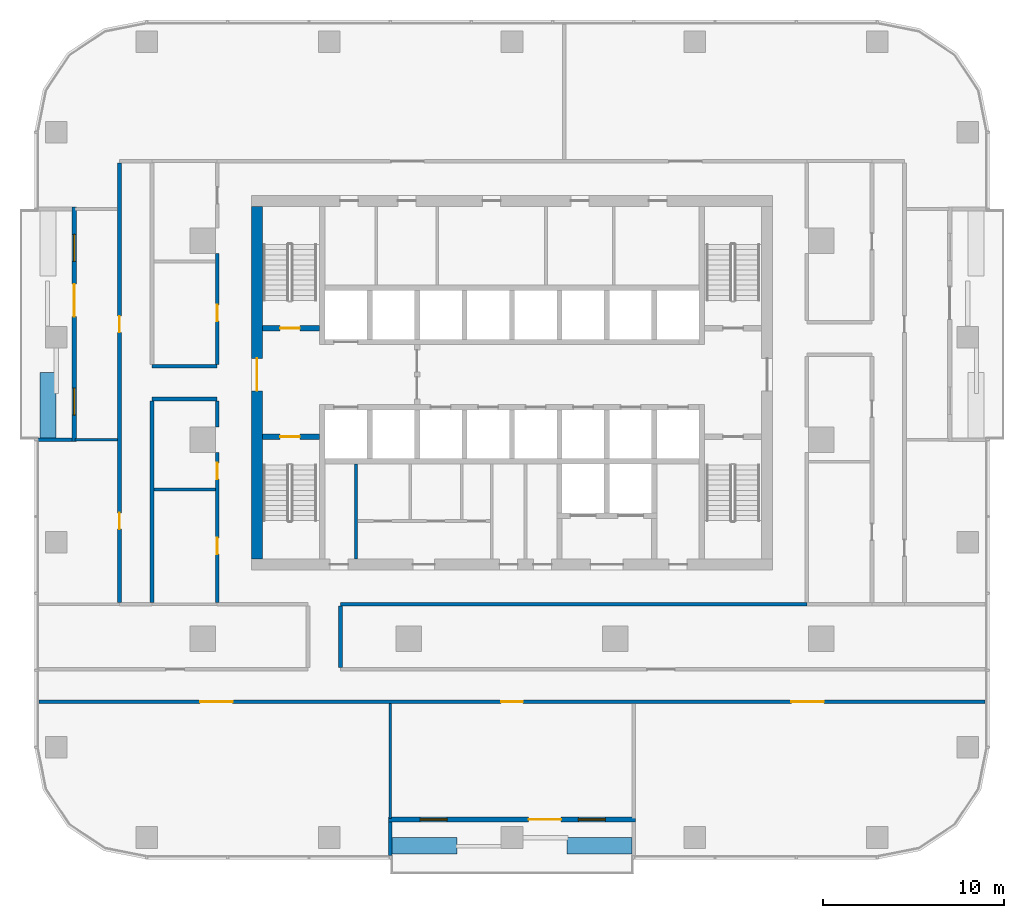
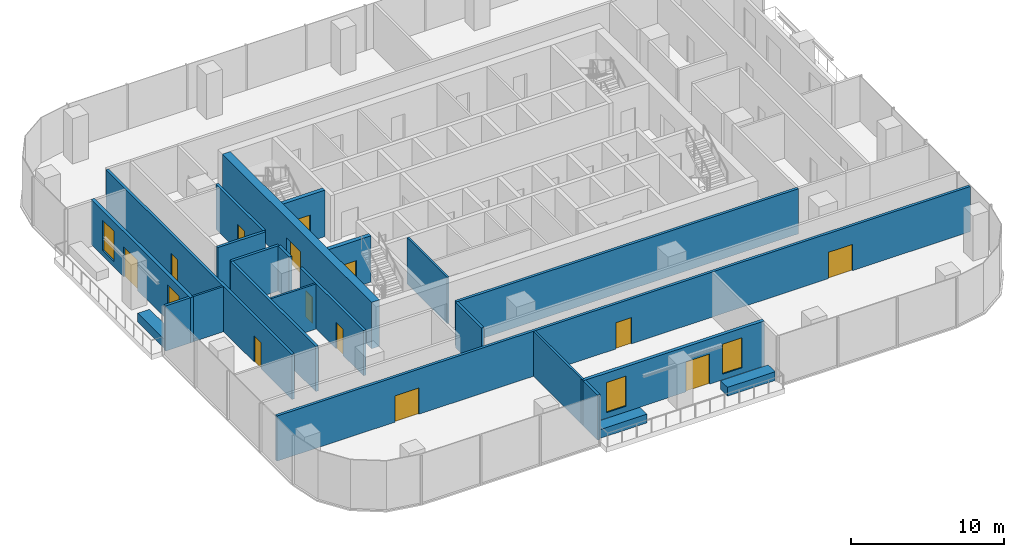
# One storey, part 7 of 14: 24 walls, 13 doors, 4 windows, 17 openings.
"""IFC4 building model written with IfcOpenShell, lengths in metres."""

from ifc_helpers import new_model, si_unit, direction, frame, frame_2d, origin, place, context, subcontext, project, spatial, rectangle, extrude, material, layer, layer_set, type_object, element, fill, save


model = new_model("IFC4")

# Units and contexts
model_context = context("Model", 3, precision=1e-05, world=origin(), true_north=direction((0.0, 1.0)))
body_context = subcontext(model_context, "Body", "Model", "MODEL_VIEW")
ifc_project = project(units=[si_unit("LENGTHUNIT", "METRE"), si_unit("AREAUNIT", "SQUARE_METRE"), si_unit("VOLUMEUNIT", "CUBIC_METRE"), si_unit("PLANEANGLEUNIT", "RADIAN"), si_unit("MASSUNIT", "GRAM", prefix="KILO")], contexts=[model_context])

# Site, building, storey
site_placement = place(None, origin())
site = spatial("IfcSite", under=ifc_project, at=site_placement, CompositionType="ELEMENT")
building_placement = place(site_placement, origin())
building = spatial("IfcBuilding", under=site, at=building_placement, Name="Mopane Tessera Tower", CompositionType="ELEMENT")
storey_placement = place(building_placement, frame((0.0, 0.0, 161.0)))
storey = spatial("IfcBuildingStorey", under=building, at=storey_placement, Name="L32", CompositionType="ELEMENT", Elevation=161.0)

# Wall
ifc_material_1 = material(Name="Fire-rated gypsum board partition")
ifc_layer_1 = layer(ifc_material_1, 0.14990234375)
ifc_layer_set_1 = layer_set([ifc_layer_1], Name="Fire-rated gypsum board partition")
wall_type_1 = type_object("IfcWallType", Name="Core room partition 150 mm", PredefinedType="PARTITIONING", material=ifc_layer_set_1)
wall_1_placement = place(storey_placement, frame((-8.625, -6.60009765625, 0.0), z_axis=(0.0, 0.0, 1.0), x_axis=(0.0, 1.0, 0.0)))
element("IfcWall", 1, at=wall_1_placement, inside=storey, type_object=wall_type_1, Name="L32 Room partition", PredefinedType="PARTITIONING", context=body_context, shape_type="SweptSolid", body=[
    extrude(rectangle(XDim=5.25, YDim=0.14990234375, at=frame_2d((2.625, 0.0))), origin(), (0.0, 0.0, 1.0), 3.699951171875),
])

# Wall, opening, door
ifc_material_2 = material(Name="Concrete C70/85", Category="concrete")
ifc_layer_2 = layer(ifc_material_2, 0.60009765625)
ifc_layer_set_2 = layer_set([ifc_layer_2], Name="Concrete C70/85")
wall_type_2 = type_object("IfcWallType", Name="Core shear wall 600 mm", PredefinedType="SHEAR", material=ifc_layer_set_2)
wall_2_placement = place(storey_placement, frame((-14.10009765625, -6.60009765625, 0.0), z_axis=(0.0, 0.0, 1.0), x_axis=(0.0, 1.0, 0.0)))
wall_2 = element("IfcWall", 2, at=wall_2_placement, inside=storey, type_object=wall_type_2, Name="L32 Core wall west", PredefinedType="SHEAR", context=body_context, shape_type="SweptSolid", body=[
    extrude(rectangle(XDim=19.5, YDim=0.60009765625, at=frame_2d((9.75, 0.0))), origin(), (0.0, 0.0, 1.0), 3.699951171875),
])
opening_1_placement = place(wall_2_placement, frame((9.300048828125, 0.0, 0.0)))
opening_1 = element("IfcOpeningElement", 3, at=opening_1_placement, cuts=wall_2, Name="Opening SD2", PredefinedType="OPENING", context=body_context, shape_type="SweptSolid", body=[
    extrude(rectangle(XDim=1.800048828125, YDim=2.10009765625, at=frame_2d((0.89990234375, 1.050048828125))), frame((0.0, 0.31201171875, 0.0), z_axis=(0.0, -1.0, 0.0), x_axis=(1.0, 0.0, 0.0)), (0.0, 0.0, 1.0), 0.6240234375),
])
ifc_material_3 = material(Name="Steel fire door", Category="steel")
door_type_1 = type_object("IfcDoorType", Name="Core entrance double door 1800 x 2100", OperationType="DOUBLE_DOOR_SINGLE_SWING", PredefinedType="DOOR", material=ifc_material_3)
door_1_placement = place(opening_1_placement, origin())
door_1 = element("IfcDoor", 4, at=door_1_placement, inside=storey, type_object=door_type_1, Name="L32 Core entrance door west", OperationType="DOUBLE_DOOR_SINGLE_SWING", OverallHeight=2.10009765625, OverallWidth=1.800048828125, PredefinedType="DOOR", context=body_context, shape_type="SweptSolid", body=[
    extrude(rectangle(XDim=1.800048828125, YDim=2.10009765625, at=frame_2d((0.89990234375, 1.050048828125))), frame((0.0, 0.02490234375, 0.0), z_axis=(0.0, -1.0, 0.0), x_axis=(1.0, 0.0, 0.0)), (0.0, 0.0, 1.0), 0.050048828125),
])
fill(opening_1, door_1)

# Wall, openings, doors
ifc_material_4 = material(Name="Gypsum board on steel studs, two layers each face, mineral wool infill", Category="steel")
ifc_layer_3 = layer(ifc_material_4, 0.199951171875)
ifc_layer_set_3 = layer_set([ifc_layer_3], Name="Gypsum board on steel studs, two layers each face, mineral wool infill")
wall_type_3 = type_object("IfcWallType", Name="Gypsum board corridor wall 200, rated EI 60", PredefinedType="PARTITIONING", material=ifc_layer_set_3)
wall_3_placement = place(storey_placement, frame((-26.14990234375, -14.5, 0.0), z_axis=(0.0, 0.0, 1.0), x_axis=(1.0, 0.0, 0.0)))
wall_3 = element("IfcWall", 5, at=wall_3_placement, inside=storey, type_object=wall_type_3, Name="Partition L32:000", PredefinedType="PARTITIONING", context=body_context, shape_type="SweptSolid", body=[
    extrude(rectangle(XDim=52.2998046875, YDim=0.199951171875, at=frame_2d((26.14990234375, 0.0))), origin(), (0.0, 0.0, 1.0), 3.60009765625),
])
opening_2_placement = place(wall_3_placement, frame((25.550048828125, 0.0, 0.0)))
opening_2 = element("IfcOpeningElement", 6, at=opening_2_placement, cuts=wall_3, Name="Opening L32-02", PredefinedType="OPENING", context=body_context, shape_type="SweptSolid", body=[
    extrude(rectangle(XDim=1.199951171875, YDim=2.10009765625, at=frame_2d((0.60009765625, 1.050048828125))), frame((0.0, 0.112060546875, 0.0), z_axis=(0.0, -1.0, 0.0), x_axis=(1.0, 0.0, 0.0)), (0.0, 0.0, 1.0), 0.223876953125),
])
opening_3_placement = place(wall_3_placement, frame((8.907470703125, 0.0, 0.0)))
opening_3 = element("IfcOpeningElement", 7, at=opening_3_placement, cuts=wall_3, Name="Opening L32-15", PredefinedType="OPENING", context=body_context, shape_type="SweptSolid", body=[
    extrude(rectangle(XDim=1.800048828125, YDim=2.10009765625, at=frame_2d((0.89990234375, 1.050048828125))), frame((0.0, 0.112060546875, 0.0), z_axis=(0.0, -1.0, 0.0), x_axis=(1.0, 0.0, 0.0)), (0.0, 0.0, 1.0), 0.223876953125),
])
opening_4_placement = place(wall_3_placement, frame((41.592529296875, 0.0, 0.0)))
opening_4 = element("IfcOpeningElement", 8, at=opening_4_placement, cuts=wall_3, Name="Opening L32-18", PredefinedType="OPENING", context=body_context, shape_type="SweptSolid", body=[
    extrude(rectangle(XDim=1.800048828125, YDim=2.10009765625, at=frame_2d((0.89990234375, 1.050048828125))), frame((0.0, 0.112060546875, 0.0), z_axis=(0.0, -1.0, 0.0), x_axis=(1.0, 0.0, 0.0)), (0.0, 0.0, 1.0), 0.223876953125),
])
ifc_material_5 = material(Name="Timber veneered steel-framed fire door", Category="steel")
door_type_2 = type_object("IfcDoorType", Name="Fire door FD60 1200 x 2100", OperationType="SINGLE_SWING_LEFT", PredefinedType="DOOR", material=ifc_material_5)
door_2_placement = place(opening_2_placement, origin())
door_2 = element("IfcDoor", 9, at=door_2_placement, inside=storey, type_object=door_type_2, Name="Door L32-02", ObjectType="D15A", OperationType="SINGLE_SWING_RIGHT", OverallHeight=2.10009765625, OverallWidth=1.199951171875, PredefinedType="DOOR", context=body_context, shape_type="SweptSolid", body=[
    extrude(rectangle(XDim=1.199951171875, YDim=2.10009765625, at=frame_2d((0.60009765625, 1.050048828125))), frame((0.0, 0.02490234375, 0.0), z_axis=(0.0, -1.0, 0.0), x_axis=(1.0, 0.0, 0.0)), (0.0, 0.0, 1.0), 0.050048828125),
])
fill(opening_2, door_2)
ifc_material_6 = material(Name="Timber veneered steel-framed fire door", Category="steel")
door_type_3 = type_object("IfcDoorType", Name="Fire door pair FD60 1800 x 2100", OperationType="DOUBLE_DOOR_SINGLE_SWING", PredefinedType="DOOR", material=ifc_material_6)
door_3_placement = place(opening_3_placement, origin())
door_3 = element("IfcDoor", 10, at=door_3_placement, inside=storey, type_object=door_type_3, Name="Door L32-15", ObjectType="D20A", OperationType="DOUBLE_DOOR_SINGLE_SWING", OverallHeight=2.10009765625, OverallWidth=1.800048828125, PredefinedType="DOOR", context=body_context, shape_type="SweptSolid", body=[
    extrude(rectangle(XDim=1.800048828125, YDim=2.10009765625, at=frame_2d((0.89990234375, 1.050048828125))), frame((0.0, 0.02490234375, 0.0), z_axis=(0.0, -1.0, 0.0), x_axis=(1.0, 0.0, 0.0)), (0.0, 0.0, 1.0), 0.050048828125),
])
fill(opening_3, door_3)
door_4_placement = place(opening_4_placement, origin())
door_4 = element("IfcDoor", 11, at=door_4_placement, inside=storey, type_object=door_type_3, Name="Door L32-18", ObjectType="D20A", OperationType="DOUBLE_DOOR_SINGLE_SWING", OverallHeight=2.10009765625, OverallWidth=1.800048828125, PredefinedType="DOOR", context=body_context, shape_type="SweptSolid", body=[
    extrude(rectangle(XDim=1.800048828125, YDim=2.10009765625, at=frame_2d((0.89990234375, 1.050048828125))), frame((0.0, 0.02490234375, 0.0), z_axis=(0.0, -1.0, 0.0), x_axis=(1.0, 0.0, 0.0)), (0.0, 0.0, 1.0), 0.050048828125),
])
fill(opening_4, door_4)

# Walls
wall_4_placement = place(storey_placement, frame((-9.47998046875, -9.10009765625, 0.0), z_axis=(0.0, 0.0, 1.0), x_axis=(1.0, 0.0, 0.0)))
element("IfcWall", 12, at=wall_4_placement, inside=storey, type_object=wall_type_3, Name="Partition L32:009", PredefinedType="PARTITIONING", context=body_context, shape_type="SweptSolid", body=[
    extrude(rectangle(XDim=25.780029296875, YDim=0.199951171875, at=frame_2d((12.89013671875, 0.0))), origin(), (0.0, 0.0, 1.0), 3.60009765625),
])
for number, where, z_axis, x_axis, name in (
    (13, (-19.89990234375, 2.25, 0.0), (0.0, 0.0, 1.0), (1.0, 0.0, 0.0), "Partition L32:015"),
    (14, (-19.89990234375, 4.050048828125, 0.0), (0.0, 0.0, 1.0), (1.0, 0.0, 0.0), "Partition L32:016"),
):
    element("IfcWall", number, at=place(storey_placement, frame(where, z_axis=z_axis, x_axis=x_axis)), inside=storey, type_object=wall_type_3, Name=name, PredefinedType="PARTITIONING", context=body_context, shape_type="SweptSolid", body=[
        extrude(rectangle(XDim=3.599853515625, YDim=0.199951171875, at=frame_2d((1.7998046875, 0.0))), origin(), (0.0, 0.0, 1.0), 3.60009765625),
    ])

# Wall, openings, doors
wall_5_placement = place(storey_placement, frame((-21.699951171875, -9.0, 0.0), z_axis=(0.0, 0.0, 1.0), x_axis=(0.0, 1.0, 0.0)))
wall_5 = element("IfcWall", 15, at=wall_5_placement, inside=storey, type_object=wall_type_3, Name="Partition L32:027", PredefinedType="PARTITIONING", context=body_context, shape_type="SweptSolid", body=[
    extrude(rectangle(XDim=24.300048828125, YDim=0.199951171875, at=frame_2d((12.14990234375, 0.0))), origin(), (0.0, 0.0, 1.0), 3.60009765625),
])
opening_5_placement = place(wall_5_placement, frame((14.925048828125, 0.0, 0.0)))
opening_5 = element("IfcOpeningElement", 16, at=opening_5_placement, cuts=wall_5, Name="Opening L32-01", PredefinedType="OPENING", context=body_context, shape_type="SweptSolid", body=[
    extrude(rectangle(XDim=0.89990234375, YDim=2.10009765625, at=frame_2d((0.449951171875, 1.050048828125))), frame((0.0, 0.112060546875, 0.0), z_axis=(0.0, -1.0, 0.0), x_axis=(1.0, 0.0, 0.0)), (0.0, 0.0, 1.0), 0.223876953125),
])
opening_6_placement = place(wall_5_placement, frame((4.050048828125, 0.0, 0.0)))
opening_6 = element("IfcOpeningElement", 17, at=opening_6_placement, cuts=wall_5, Name="Opening L32-13", PredefinedType="OPENING", context=body_context, shape_type="SweptSolid", body=[
    extrude(rectangle(XDim=0.89990234375, YDim=2.10009765625, at=frame_2d((0.449951171875, 1.050048828125))), frame((0.0, 0.112060546875, 0.0), z_axis=(0.0, -1.0, 0.0), x_axis=(1.0, 0.0, 0.0)), (0.0, 0.0, 1.0), 0.223876953125),
])
ifc_material_7 = material(Name="Timber veneered steel-framed fire door", Category="steel")
door_type_4 = type_object("IfcDoorType", Name="Fire door FD60 900 x 2100", OperationType="SINGLE_SWING_LEFT", PredefinedType="DOOR", material=ifc_material_7)
door_5_placement = place(opening_5_placement, origin())
door_5 = element("IfcDoor", 18, at=door_5_placement, inside=storey, type_object=door_type_4, Name="Door L32-01", ObjectType="D10A", OperationType="SINGLE_SWING_RIGHT", OverallHeight=2.10009765625, OverallWidth=0.89990234375, PredefinedType="DOOR", context=body_context, shape_type="SweptSolid", body=[
    extrude(rectangle(XDim=0.89990234375, YDim=2.10009765625, at=frame_2d((0.449951171875, 1.050048828125))), frame((0.0, 0.02490234375, 0.0), z_axis=(0.0, -1.0, 0.0), x_axis=(1.0, 0.0, 0.0)), (0.0, 0.0, 1.0), 0.050048828125),
])
fill(opening_5, door_5)
door_6_placement = place(opening_6_placement, origin())
door_6 = element("IfcDoor", 19, at=door_6_placement, inside=storey, type_object=door_type_4, Name="Door L32-13", ObjectType="D10A", OperationType="SINGLE_SWING_RIGHT", OverallHeight=2.10009765625, OverallWidth=0.89990234375, PredefinedType="DOOR", context=body_context, shape_type="SweptSolid", body=[
    extrude(rectangle(XDim=0.89990234375, YDim=2.10009765625, at=frame_2d((0.449951171875, 1.050048828125))), frame((0.0, 0.02490234375, 0.0), z_axis=(0.0, -1.0, 0.0), x_axis=(1.0, 0.0, 0.0)), (0.0, 0.0, 1.0), 0.050048828125),
])
fill(opening_6, door_6)

# Wall
wall_6_placement = place(storey_placement, frame((-19.89990234375, -9.0, 0.0), z_axis=(0.0, 0.0, 1.0), x_axis=(0.0, 1.0, 0.0)))
element("IfcWall", 20, at=wall_6_placement, inside=storey, type_object=wall_type_3, Name="Partition L32:028", PredefinedType="PARTITIONING", context=body_context, shape_type="SweptSolid", body=[
    extrude(rectangle(XDim=11.14990234375, YDim=0.199951171875, at=frame_2d((5.574951171875, 0.0))), origin(), (0.0, 0.0, 1.0), 3.60009765625),
])

# Wall, openings, doors
wall_7_placement = place(storey_placement, frame((-16.300048828125, -9.0, 0.0), z_axis=(0.0, 0.0, 1.0), x_axis=(0.0, 1.0, 0.0)))
wall_7 = element("IfcWall", 21, at=wall_7_placement, inside=storey, type_object=wall_type_3, Name="Partition L32:030", PredefinedType="PARTITIONING", context=body_context, shape_type="SweptSolid", body=[
    extrude(rectangle(XDim=8.300048828125, YDim=0.199951171875, at=frame_2d((4.14990234375, 0.0))), origin(), (0.0, 0.0, 1.0), 3.60009765625),
])
opening_7_placement = place(wall_7_placement, frame((6.822509765625, 0.0, 0.0)))
opening_7 = element("IfcOpeningElement", 22, at=opening_7_placement, cuts=wall_7, Name="Opening L32-07", PredefinedType="OPENING", context=body_context, shape_type="SweptSolid", body=[
    extrude(rectangle(XDim=0.89990234375, YDim=2.10009765625, at=frame_2d((0.449951171875, 1.050048828125))), frame((0.0, 0.112060546875, 0.0), z_axis=(0.0, -1.0, 0.0), x_axis=(1.0, 0.0, 0.0)), (0.0, 0.0, 1.0), 0.223876953125),
])
opening_8_placement = place(wall_7_placement, frame((2.672607421875, 0.0, 0.0)))
opening_8 = element("IfcOpeningElement", 23, at=opening_8_placement, cuts=wall_7, Name="Opening L32-10", PredefinedType="OPENING", context=body_context, shape_type="SweptSolid", body=[
    extrude(rectangle(XDim=0.89990234375, YDim=2.10009765625, at=frame_2d((0.449951171875, 1.050048828125))), frame((0.0, 0.112060546875, 0.0), z_axis=(0.0, -1.0, 0.0), x_axis=(1.0, 0.0, 0.0)), (0.0, 0.0, 1.0), 0.223876953125),
])
door_7_placement = place(opening_7_placement, origin())
door_7 = element("IfcDoor", 24, at=door_7_placement, inside=storey, type_object=door_type_4, Name="Door L32-07", ObjectType="D10A", OperationType="SINGLE_SWING_RIGHT", OverallHeight=2.10009765625, OverallWidth=0.89990234375, PredefinedType="DOOR", context=body_context, shape_type="SweptSolid", body=[
    extrude(rectangle(XDim=0.89990234375, YDim=2.10009765625, at=frame_2d((0.449951171875, 1.050048828125))), frame((0.0, 0.02490234375, 0.0), z_axis=(0.0, -1.0, 0.0), x_axis=(1.0, 0.0, 0.0)), (0.0, 0.0, 1.0), 0.050048828125),
])
fill(opening_7, door_7)
door_8_placement = place(opening_8_placement, origin())
door_8 = element("IfcDoor", 25, at=door_8_placement, inside=storey, type_object=door_type_4, Name="Door L32-10", ObjectType="D10A", OperationType="SINGLE_SWING_LEFT", OverallHeight=2.10009765625, OverallWidth=0.89990234375, PredefinedType="DOOR", context=body_context, shape_type="SweptSolid", body=[
    extrude(rectangle(XDim=0.89990234375, YDim=2.10009765625, at=frame_2d((0.449951171875, 1.050048828125))), frame((0.0, 0.02490234375, 0.0), z_axis=(0.0, -1.0, 0.0), x_axis=(1.0, 0.0, 0.0)), (0.0, 0.0, 1.0), 0.050048828125),
])
fill(opening_8, door_8)

# Wall
wall_8_placement = place(storey_placement, frame((-16.300048828125, 0.699951171875, 0.0), z_axis=(0.0, 0.0, 1.0), x_axis=(0.0, 1.0, 0.0)))
element("IfcWall", 26, at=wall_8_placement, inside=storey, type_object=wall_type_3, Name="Partition L32:031", PredefinedType="PARTITIONING", context=body_context, shape_type="SweptSolid", body=[
    extrude(rectangle(XDim=1.449951171875, YDim=0.199951171875, at=frame_2d((0.72509765625, 0.0))), origin(), (0.0, 0.0, 1.0), 3.60009765625),
])

# Wall, opening, door
wall_9_placement = place(storey_placement, frame((-16.300048828125, 4.14990234375, 0.0), z_axis=(0.0, 0.0, 1.0), x_axis=(0.0, 1.0, 0.0)))
wall_9 = element("IfcWall", 27, at=wall_9_placement, inside=storey, type_object=wall_type_3, Name="Partition L32:032", PredefinedType="PARTITIONING", context=body_context, shape_type="SweptSolid", body=[
    extrude(rectangle(XDim=6.150146484375, YDim=0.199951171875, at=frame_2d((3.0751953125, 0.0))), origin(), (0.0, 0.0, 1.0), 3.60009765625),
])
opening_9_placement = place(wall_9_placement, frame((2.402587890625, 0.0, 0.0)))
opening_9 = element("IfcOpeningElement", 28, at=opening_9_placement, cuts=wall_9, Name="Opening L32-04", PredefinedType="OPENING", context=body_context, shape_type="SweptSolid", body=[
    extrude(rectangle(XDim=0.89990234375, YDim=2.10009765625, at=frame_2d((0.449951171875, 1.050048828125))), frame((0.0, 0.112060546875, 0.0), z_axis=(0.0, -1.0, 0.0), x_axis=(1.0, 0.0, 0.0)), (0.0, 0.0, 1.0), 0.223876953125),
])
door_9_placement = place(opening_9_placement, origin())
door_9 = element("IfcDoor", 29, at=door_9_placement, inside=storey, type_object=door_type_4, Name="Door L32-04", ObjectType="D10A", OperationType="SINGLE_SWING_LEFT", OverallHeight=2.10009765625, OverallWidth=0.89990234375, PredefinedType="DOOR", context=body_context, shape_type="SweptSolid", body=[
    extrude(rectangle(XDim=0.89990234375, YDim=2.10009765625, at=frame_2d((0.449951171875, 1.050048828125))), frame((0.0, 0.02490234375, 0.0), z_axis=(0.0, -1.0, 0.0), x_axis=(1.0, 0.0, 0.0)), (0.0, 0.0, 1.0), 0.050048828125),
])
fill(opening_9, door_9)

# Walls
wall_10_placement = place(storey_placement, frame((-9.47998046875, -12.60009765625, 0.0), z_axis=(0.0, 0.0, 1.0), x_axis=(0.0, 1.0, 0.0)))
element("IfcWall", 30, at=wall_10_placement, inside=storey, type_object=wall_type_3, Name="Partition L32:035", PredefinedType="PARTITIONING", context=body_context, shape_type="SweptSolid", body=[
    extrude(rectangle(XDim=3.400146484375, YDim=0.199951171875, at=frame_2d((1.7001953125, 0.0))), origin(), (0.0, 0.0, 1.0), 3.60009765625),
])
ifc_material_8 = material(Name="Gypsum board on steel studs, mineral wool infill", Category="steel")
ifc_layer_4 = layer(ifc_material_8, 0.14990234375)
ifc_layer_set_4 = layer_set([ifc_layer_4], Name="Gypsum board on steel studs, mineral wool infill")
wall_type_4 = type_object("IfcWallType", Name="Gypsum board partition 150, rated EI 60", PredefinedType="PARTITIONING", material=ifc_layer_set_4)
wall_11_placement = place(storey_placement, frame((-19.800048828125, -2.7548828125, 0.0), z_axis=(0.0, 0.0, 1.0), x_axis=(1.0, 0.0, 0.0)))
element("IfcWall", 31, at=wall_11_placement, inside=storey, type_object=wall_type_4, Name="Partition L32:011", PredefinedType="PARTITIONING", context=body_context, shape_type="SweptSolid", body=[
    extrude(rectangle(XDim=3.400146484375, YDim=0.14990234375, at=frame_2d((1.7001953125, 0.0))), origin(), (0.0, 0.0, 1.0), 3.60009765625),
])
wall_12_placement = place(storey_placement, frame((-24.14990234375, 0.0, 0.0), z_axis=(0.0, 0.0, 1.0), x_axis=(1.0, 0.0, 0.0)))
element("IfcWall", 32, at=wall_12_placement, inside=storey, type_object=wall_type_4, Name="Partition L32:013", PredefinedType="PARTITIONING", context=body_context, shape_type="SweptSolid", body=[
    extrude(rectangle(XDim=2.349853515625, YDim=0.14990234375, at=frame_2d((1.1748046875, 0.0))), origin(), (0.0, 0.0, 1.0), 3.60009765625),
])
wall_13_placement = place(storey_placement, frame((-6.735107421875, -20.949951171875, 0.0), z_axis=(0.0, 0.0, 1.0), x_axis=(0.0, 1.0, 0.0)))
element("IfcWall", 33, at=wall_13_placement, inside=storey, type_object=wall_type_4, Name="Partition L32:036", PredefinedType="PARTITIONING", context=body_context, shape_type="SweptSolid", body=[
    extrude(rectangle(XDim=6.349853515625, YDim=0.14990234375, at=frame_2d((3.1748046875, 0.0))), origin(), (0.0, 0.0, 1.0), 3.60009765625),
])

# Wall, opening, door
ifc_material_9 = material(Name="Concrete C50/60", Category="concrete")
ifc_layer_5 = layer(ifc_material_9, 0.300048828125)
ifc_layer_set_5 = layer_set([ifc_layer_5], Name="Concrete C50/60")
wall_type_5 = type_object("IfcWallType", Name="Lift and stair shaft wall 300 mm", PredefinedType="SOLIDWALL", material=ifc_layer_set_5)
wall_14_placement = place(storey_placement, frame((-13.800048828125, 0.14990234375, 0.0), z_axis=(0.0, 0.0, 1.0), x_axis=(1.0, 0.0, 0.0)))
wall_14 = element("IfcWall", 34, at=wall_14_placement, inside=storey, type_object=wall_type_5, Name="L32 Stair enclosure wall", PredefinedType="SOLIDWALL", context=body_context, shape_type="SweptSolid", body=[
    extrude(rectangle(XDim=3.150146484375, YDim=0.300048828125, at=frame_2d((1.5751953125, 0.0))), origin(), (0.0, 0.0, 1.0), 3.699951171875),
])
opening_10_placement = place(wall_14_placement, frame((0.97509765625, 0.0, 0.0)))
opening_10 = element("IfcOpeningElement", 35, at=opening_10_placement, cuts=wall_14, Name="Opening SD1", PredefinedType="OPENING", context=body_context, shape_type="SweptSolid", body=[
    extrude(rectangle(XDim=1.10009765625, YDim=2.10009765625, at=frame_2d((0.550048828125, 1.050048828125))), frame((0.0, 0.162109375, 0.0), z_axis=(0.0, -1.0, 0.0), x_axis=(1.0, 0.0, 0.0)), (0.0, 0.0, 1.0), 0.323974609375),
])
ifc_material_10 = material(Name="Steel fire door", Category="steel")
door_type_5 = type_object("IfcDoorType", Name="Stair fire door 1100 x 2100", OperationType="SINGLE_SWING_LEFT", PredefinedType="DOOR", material=ifc_material_10)
door_10_placement = place(opening_10_placement, origin())
door_10 = element("IfcDoor", 36, at=door_10_placement, inside=storey, type_object=door_type_5, Name="L32 Stair door ST1", OperationType="SINGLE_SWING_LEFT", OverallHeight=2.10009765625, OverallWidth=1.10009765625, PredefinedType="DOOR", context=body_context, shape_type="SweptSolid", body=[
    extrude(rectangle(XDim=1.10009765625, YDim=2.10009765625, at=frame_2d((0.550048828125, 1.050048828125))), frame((0.0, 0.02490234375, 0.0), z_axis=(0.0, -1.0, 0.0), x_axis=(1.0, 0.0, 0.0)), (0.0, 0.0, 1.0), 0.050048828125),
])
fill(opening_10, door_10)

wall_15_placement = place(storey_placement, frame((-13.800048828125, 6.14990234375, 0.0), z_axis=(0.0, 0.0, 1.0), x_axis=(1.0, 0.0, 0.0)))
wall_15 = element("IfcWall", 37, at=wall_15_placement, inside=storey, type_object=wall_type_5, Name="L32 Stair enclosure wall", PredefinedType="SOLIDWALL", context=body_context, shape_type="SweptSolid", body=[
    extrude(rectangle(XDim=3.150146484375, YDim=0.300048828125, at=frame_2d((1.5751953125, 0.0))), origin(), (0.0, 0.0, 1.0), 3.699951171875),
])
opening_11_placement = place(wall_15_placement, frame((0.97509765625, 0.0, 0.0)))
opening_11 = element("IfcOpeningElement", 38, at=opening_11_placement, cuts=wall_15, Name="Opening SD1", PredefinedType="OPENING", context=body_context, shape_type="SweptSolid", body=[
    extrude(rectangle(XDim=1.10009765625, YDim=2.10009765625, at=frame_2d((0.550048828125, 1.050048828125))), frame((0.0, 0.162109375, 0.0), z_axis=(0.0, -1.0, 0.0), x_axis=(1.0, 0.0, 0.0)), (0.0, 0.0, 1.0), 0.323974609375),
])
door_11_placement = place(opening_11_placement, origin())
door_11 = element("IfcDoor", 39, at=door_11_placement, inside=storey, type_object=door_type_5, Name="L32 Stair door ST2", OperationType="SINGLE_SWING_LEFT", OverallHeight=2.10009765625, OverallWidth=1.10009765625, PredefinedType="DOOR", context=body_context, shape_type="SweptSolid", body=[
    extrude(rectangle(XDim=1.10009765625, YDim=2.10009765625, at=frame_2d((0.550048828125, 1.050048828125))), frame((0.0, 0.02490234375, 0.0), z_axis=(0.0, -1.0, 0.0), x_axis=(1.0, 0.0, 0.0)), (0.0, 0.0, 1.0), 0.050048828125),
])
fill(opening_11, door_11)

# Walls
ifc_material_11 = material(Name="Reinforced concrete C32/40 with waterproofing", Category="concrete")
ifc_layer_6 = layer(ifc_material_11, 0.89990234375)
ifc_layer_set_6 = layer_set([ifc_layer_6], Name="Reinforced concrete C32/40 with waterproofing")
wall_type_6 = type_object("IfcWallType", Name="Planter trough 3600 x 900", PredefinedType="STANDARD", material=ifc_layer_set_6)
for number, where, z_axis, x_axis, name in (
    (40, (-25.64990234375, 3.699951171875, 0.0), (0.0, 0.0, 1.0), (0.0, -1.0, 0.0), "e:nw:L32:N1:pl1"),
    (41, (-6.63330078125, -22.449951171875, 0.0), (0.0, 0.0, 1.0), (1.0, 0.0, 0.0), "e:nw:L32:N2:pl0"),
    (42, (3.033447265625, -22.449951171875, 0.0), (0.0, 0.0, 1.0), (1.0, 0.0, 0.0), "e:nw:L32:N2:pl1"),
):
    element("IfcWall", number, at=place(storey_placement, frame(where, z_axis=z_axis, x_axis=x_axis)), inside=storey, type_object=wall_type_6, Name=name, PredefinedType="STANDARD", context=body_context, shape_type="SweptSolid", body=[
        extrude(rectangle(XDim=3.599853515625, YDim=0.89990234375, at=frame_2d((1.7998046875, 0.0))), origin(), (0.0, 0.0, 1.0), 0.699951171875),
    ])
ifc_material_12 = material(Name="Blockwork with glazed tile facing", Category="masonry")
ifc_layer_7 = layer(ifc_material_12, 0.199951171875)
ifc_layer_set_7 = layer_set([ifc_layer_7], Name="Blockwork with glazed tile facing")
wall_type_7 = type_object("IfcWallType", Name="Terrace cheek wall 200", PredefinedType="STANDARD", material=ifc_layer_set_7)
for number, where, z_axis, x_axis, name in (
    (43, (-26.199951171875, 0.0, 0.0), (0.0, 0.0, 1.0), (1.0, 0.0, 0.0), "e:nw:L32:N1:cheekb"),
    (44, (-6.7333984375, -23.0, 0.0), (0.0, 0.0, 1.0), (0.0, 1.0, 0.0), "e:nw:L32:N2:cheeka"),
):
    element("IfcWall", number, at=place(storey_placement, frame(where, z_axis=z_axis, x_axis=x_axis)), inside=storey, type_object=wall_type_7, Name=name, PredefinedType="STANDARD", context=body_context, shape_type="SweptSolid", body=[
        extrude(rectangle(XDim=1.875, YDim=0.199951171875, at=frame_2d((0.9375, 0.0))), origin(), (0.0, 0.0, 1.0), 3.60009765625),
    ])

# Wall, openings, windows, door
ifc_material_13 = material(Name="Blockwork with ochre glazed tile facing", Category="masonry")
ifc_layer_8 = layer(ifc_material_13, 0.25)
ifc_layer_set_8 = layer_set([ifc_layer_8], Name="Blockwork with ochre glazed tile facing")
wall_type_8 = type_object("IfcWallType", Name="Tile-clad external wall 250, ochre", PredefinedType="STANDARD", material=ifc_layer_set_8)
wall_16_placement = place(storey_placement, frame((-24.199951171875, 12.85009765625, 0.0), z_axis=(0.0, 0.0, 1.0), x_axis=(0.0, -1.0, 0.0)))
wall_16 = element("IfcWall", 45, at=wall_16_placement, inside=storey, type_object=wall_type_8, Name="e:nw:L32:N1:back", PredefinedType="STANDARD", context=body_context, shape_type="SweptSolid", body=[
    extrude(rectangle(XDim=12.9501953125, YDim=0.25, at=frame_2d((6.47509765625, 0.0))), origin(), (0.0, 0.0, 1.0), 3.60009765625),
])
opening_12_placement = place(wall_16_placement, frame((1.5, 0.0, 0.449951171875)))
opening_12 = element("IfcOpeningElement", 46, at=opening_12_placement, cuts=wall_16, Name="Opening NW321A", PredefinedType="OPENING", context=body_context, shape_type="SweptSolid", body=[
    extrude(rectangle(XDim=1.5, YDim=2.39990234375, at=frame_2d((0.75, 1.199951171875))), frame((0.0, 0.136962890625, 0.0), z_axis=(0.0, -1.0, 0.0), x_axis=(1.0, 0.0, 0.0)), (0.0, 0.0, 1.0), 0.27392578125),
])
opening_13_placement = place(wall_16_placement, frame((4.25, 0.0, 0.0)))
opening_13 = element("IfcOpeningElement", 47, at=opening_13_placement, cuts=wall_16, Name="Opening ND321", PredefinedType="OPENING", context=body_context, shape_type="SweptSolid", body=[
    extrude(rectangle(XDim=1.800048828125, YDim=2.39990234375, at=frame_2d((0.89990234375, 1.199951171875))), frame((0.0, 0.136962890625, 0.0), z_axis=(0.0, -1.0, 0.0), x_axis=(1.0, 0.0, 0.0)), (0.0, 0.0, 1.0), 0.27392578125),
])
opening_14_placement = place(wall_16_placement, frame((10.0, 0.0, 0.449951171875)))
opening_14 = element("IfcOpeningElement", 48, at=opening_14_placement, cuts=wall_16, Name="Opening NW321B", PredefinedType="OPENING", context=body_context, shape_type="SweptSolid", body=[
    extrude(rectangle(XDim=1.5, YDim=2.39990234375, at=frame_2d((0.75, 1.199951171875))), frame((0.0, 0.136962890625, 0.0), z_axis=(0.0, -1.0, 0.0), x_axis=(1.0, 0.0, 0.0)), (0.0, 0.0, 1.0), 0.27392578125),
])
ifc_material_14 = material(Name="Clear laminated glass", Category="glass")
window_type = type_object("IfcWindowType", Name="Fixed window 1500 x 2400", PartitioningType="SINGLE_PANEL", PredefinedType="WINDOW", material=ifc_material_14)
window_1_placement = place(opening_12_placement, origin())
window_1 = element("IfcWindow", 49, at=window_1_placement, inside=storey, type_object=window_type, Name="e:nw:L32:N1:win0", OverallHeight=2.39990234375, OverallWidth=1.5, PartitioningType="SINGLE_PANEL", PredefinedType="WINDOW", context=body_context, shape_type="SweptSolid", body=[
    extrude(rectangle(XDim=1.5, YDim=2.39990234375, at=frame_2d((0.75, 1.199951171875))), frame((0.0, 0.030029296875, 0.0), z_axis=(0.0, -1.0, 0.0), x_axis=(1.0, 0.0, 0.0)), (0.0, 0.0, 1.0), 0.06005859375),
])
fill(opening_12, window_1)
window_2_placement = place(opening_14_placement, origin())
window_2 = element("IfcWindow", 50, at=window_2_placement, inside=storey, type_object=window_type, Name="e:nw:L32:N1:win2", OverallHeight=2.39990234375, OverallWidth=1.5, PartitioningType="SINGLE_PANEL", PredefinedType="WINDOW", context=body_context, shape_type="SweptSolid", body=[
    extrude(rectangle(XDim=1.5, YDim=2.39990234375, at=frame_2d((0.75, 1.199951171875))), frame((0.0, 0.030029296875, 0.0), z_axis=(0.0, -1.0, 0.0), x_axis=(1.0, 0.0, 0.0)), (0.0, 0.0, 1.0), 0.06005859375),
])
fill(opening_14, window_2)
ifc_material_15 = material(Name="Aluminium and clear glass", Category="aluminium")
door_type_6 = type_object("IfcDoorType", Name="Terrace double door 1800 x 2400", OperationType="DOUBLE_DOOR_SINGLE_SWING", PredefinedType="DOOR", material=ifc_material_15)
door_12_placement = place(opening_13_placement, origin())
door_12 = element("IfcDoor", 51, at=door_12_placement, inside=storey, type_object=door_type_6, Name="e:nw:L32:N1:door", ObjectType="D1", OperationType="DOUBLE_DOOR_SINGLE_SWING", OverallHeight=2.39990234375, OverallWidth=1.800048828125, PredefinedType="DOOR", context=body_context, shape_type="SweptSolid", body=[
    extrude(rectangle(XDim=1.800048828125, YDim=2.39990234375, at=frame_2d((0.89990234375, 1.199951171875))), frame((0.0, 0.02490234375, 0.0), z_axis=(0.0, -1.0, 0.0), x_axis=(1.0, 0.0, 0.0)), (0.0, 0.0, 1.0), 0.050048828125),
])
fill(opening_13, door_12)

wall_17_placement = place(storey_placement, frame((-6.833251953125, -21.0, 0.0), z_axis=(0.0, 0.0, 1.0), x_axis=(1.0, 0.0, 0.0)))
wall_17 = element("IfcWall", 52, at=wall_17_placement, inside=storey, type_object=wall_type_8, Name="e:nw:L32:N2:back", PredefinedType="STANDARD", context=body_context, shape_type="SweptSolid", body=[
    extrude(rectangle(XDim=13.66650390625, YDim=0.25, at=frame_2d((6.833251953125, 0.0))), origin(), (0.0, 0.0, 1.0), 3.60009765625),
])
opening_15_placement = place(wall_17_placement, frame((1.75, 0.0, 0.449951171875)))
opening_15 = element("IfcOpeningElement", 53, at=opening_15_placement, cuts=wall_17, Name="Opening NW322A", PredefinedType="OPENING", context=body_context, shape_type="SweptSolid", body=[
    extrude(rectangle(XDim=1.5, YDim=2.39990234375, at=frame_2d((0.75, 1.199951171875))), frame((0.0, 0.136962890625, 0.0), z_axis=(0.0, -1.0, 0.0), x_axis=(1.0, 0.0, 0.0)), (0.0, 0.0, 1.0), 0.27392578125),
])
opening_16_placement = place(wall_17_placement, frame((7.75, 0.0, 0.0)))
opening_16 = element("IfcOpeningElement", 54, at=opening_16_placement, cuts=wall_17, Name="Opening ND322", PredefinedType="OPENING", context=body_context, shape_type="SweptSolid", body=[
    extrude(rectangle(XDim=1.800048828125, YDim=2.39990234375, at=frame_2d((0.89990234375, 1.199951171875))), frame((0.0, 0.136962890625, 0.0), z_axis=(0.0, -1.0, 0.0), x_axis=(1.0, 0.0, 0.0)), (0.0, 0.0, 1.0), 0.27392578125),
])
opening_17_placement = place(wall_17_placement, frame((10.5, 0.0, 0.449951171875)))
opening_17 = element("IfcOpeningElement", 55, at=opening_17_placement, cuts=wall_17, Name="Opening NW322B", PredefinedType="OPENING", context=body_context, shape_type="SweptSolid", body=[
    extrude(rectangle(XDim=1.5, YDim=2.39990234375, at=frame_2d((0.75, 1.199951171875))), frame((0.0, 0.136962890625, 0.0), z_axis=(0.0, -1.0, 0.0), x_axis=(1.0, 0.0, 0.0)), (0.0, 0.0, 1.0), 0.27392578125),
])
window_3_placement = place(opening_15_placement, origin())
window_3 = element("IfcWindow", 56, at=window_3_placement, inside=storey, type_object=window_type, Name="e:nw:L32:N2:win0", OverallHeight=2.39990234375, OverallWidth=1.5, PartitioningType="SINGLE_PANEL", PredefinedType="WINDOW", context=body_context, shape_type="SweptSolid", body=[
    extrude(rectangle(XDim=1.5, YDim=2.39990234375, at=frame_2d((0.75, 1.199951171875))), frame((0.0, 0.030029296875, 0.0), z_axis=(0.0, -1.0, 0.0), x_axis=(1.0, 0.0, 0.0)), (0.0, 0.0, 1.0), 0.06005859375),
])
fill(opening_15, window_3)
window_4_placement = place(opening_17_placement, origin())
window_4 = element("IfcWindow", 57, at=window_4_placement, inside=storey, type_object=window_type, Name="e:nw:L32:N2:win2", OverallHeight=2.39990234375, OverallWidth=1.5, PartitioningType="SINGLE_PANEL", PredefinedType="WINDOW", context=body_context, shape_type="SweptSolid", body=[
    extrude(rectangle(XDim=1.5, YDim=2.39990234375, at=frame_2d((0.75, 1.199951171875))), frame((0.0, 0.030029296875, 0.0), z_axis=(0.0, -1.0, 0.0), x_axis=(1.0, 0.0, 0.0)), (0.0, 0.0, 1.0), 0.06005859375),
])
fill(opening_17, window_4)
door_13_placement = place(opening_16_placement, origin())
door_13 = element("IfcDoor", 58, at=door_13_placement, inside=storey, type_object=door_type_6, Name="e:nw:L32:N2:door", ObjectType="D1", OperationType="DOUBLE_DOOR_SINGLE_SWING", OverallHeight=2.39990234375, OverallWidth=1.800048828125, PredefinedType="DOOR", context=body_context, shape_type="SweptSolid", body=[
    extrude(rectangle(XDim=1.800048828125, YDim=2.39990234375, at=frame_2d((0.89990234375, 1.199951171875))), frame((0.0, 0.02490234375, 0.0), z_axis=(0.0, -1.0, 0.0), x_axis=(1.0, 0.0, 0.0)), (0.0, 0.0, 1.0), 0.050048828125),
])
fill(opening_16, door_13)

save(model, "model.ifc")
